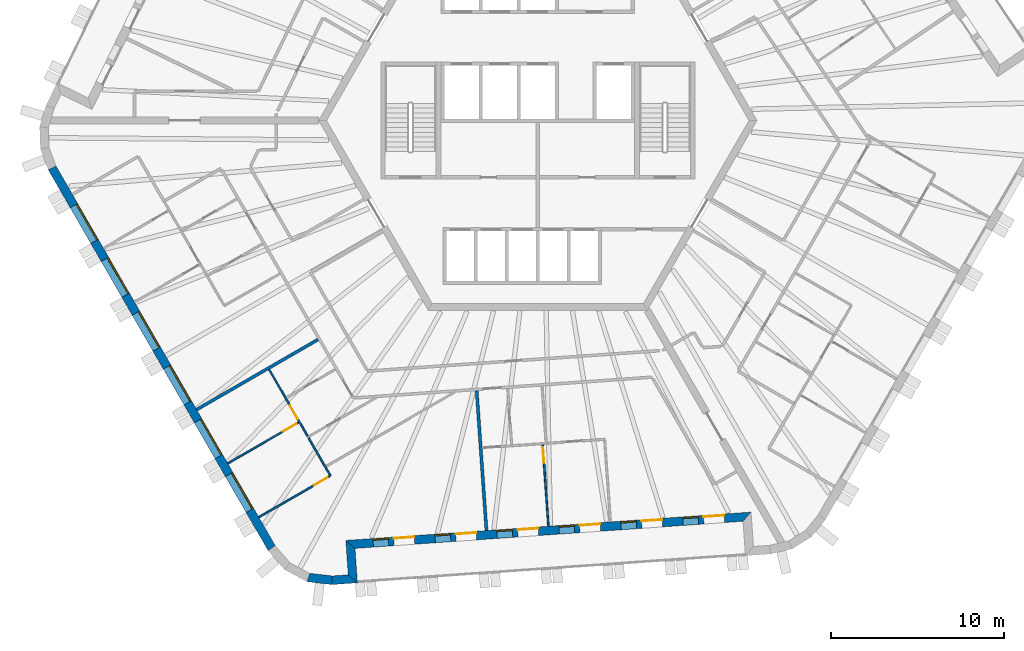
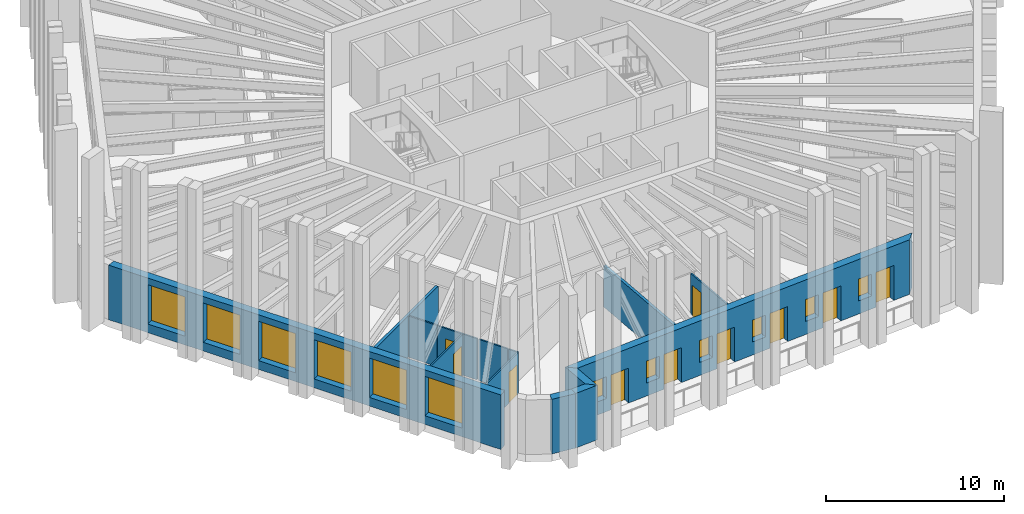
# One storey, part 3 of 13: 14 walls, 12 windows, 10 doors, 22 openings.
"""IFC4 building model written with IfcOpenShell, lengths in metres."""

from ifc_helpers import new_model, si_unit, direction, frame, frame_2d, origin, place, context, subcontext, project, spatial, polyline, rectangle, outline, extrude, material, layer, layer_set, type_object, element, fill, save


model = new_model("IFC4")

# Units and contexts
model_context = context("Model", 3, precision=1e-05, world=origin(), true_north=direction((0.0, 1.0)))
body_context = subcontext(model_context, "Body", "Model", "MODEL_VIEW")
ifc_project = project(units=[si_unit("LENGTHUNIT", "METRE"), si_unit("AREAUNIT", "SQUARE_METRE"), si_unit("VOLUMEUNIT", "CUBIC_METRE"), si_unit("PLANEANGLEUNIT", "RADIAN"), si_unit("MASSUNIT", "GRAM", prefix="KILO")], contexts=[model_context])

# Site, building, storey
site_placement = place(None, origin())
site = spatial("IfcSite", under=ifc_project, at=site_placement, CompositionType="ELEMENT")
building_placement = place(site_placement, origin())
building = spatial("IfcBuilding", under=site, at=building_placement, Name="Tarnside Tower", CompositionType="ELEMENT")
storey_placement = place(building_placement, frame((0.0, 0.0, 256.199951171875)))
storey = spatial("IfcBuildingStorey", under=building, at=storey_placement, Name="L61", CompositionType="ELEMENT", Elevation=256.199951171875)

# Walls
ifc_material_1 = material(Name="Gypsum board partition on steel studs", Category="steel")
ifc_layer_1 = layer(ifc_material_1, 0.10009765625)
ifc_layer_set_1 = layer_set([ifc_layer_1], Name="Bathroom wall 100")
wall_type_1 = type_object("IfcWallType", Name="Bathroom wall 100", PredefinedType="PARTITIONING", material=ifc_layer_set_1)
wall_1_placement = place(storey_placement, frame((-15.5693359375, -14.43310546875, 0.0), z_axis=(0.0, 0.0, 1.0), x_axis=(0.499960808225, -0.866048029984, 0.0)))
element("IfcWall", 1, at=wall_1_placement, inside=storey, type_object=wall_type_1, Name="Bathroom wall 20128", PredefinedType="PARTITIONING", context=body_context, shape_type="SweptSolid", body=[
    extrude(rectangle(XDim=1.862060546875, YDim=0.10009765625, at=frame_2d((0.93115234375, 0.0))), origin(), (0.0, 0.0, 1.0), 2.823486328125),
])
wall_2_placement = place(storey_placement, frame((-12.33935546875, -20.027587890625, 0.0), z_axis=(0.0, 0.0, 1.0), x_axis=(-0.500022797313, 0.86601224135, 0.0)))
element("IfcWall", 2, at=wall_2_placement, inside=storey, type_object=wall_type_1, Name="Bathroom wall 20130", PredefinedType="PARTITIONING", context=body_context, shape_type="SweptSolid", body=[
    extrude(rectangle(XDim=1.89990234375, YDim=0.10009765625, at=frame_2d((0.949951171875, 0.0))), origin(), (0.0, 0.0, 1.0), 2.823486328125),
])
ifc_layer_2 = layer(ifc_material_1, 0.179931640625)
ifc_layer_set_2 = layer_set([ifc_layer_2], Name="Demising wall 180 EI 60")
wall_type_2 = type_object("IfcWallType", Name="Demising wall 180 EI 60", PredefinedType="PARTITIONING", material=ifc_layer_set_2)
for number, where, z_axis, x_axis, name in (
    (3, (-19.771240234375, -16.755126953125, 0.0), (0.0, 0.0, 1.0), (0.866022959057, 0.500004234368, 0.0), "Demising wall 20111"),
    (4, (-2.97412109375, -23.765380859375, 0.0), (0.0, 0.0, 1.0), (-0.069771417753, 0.99756300516, 0.0), "Demising wall 20122"),
):
    element("IfcWall", number, at=place(storey_placement, frame(where, z_axis=z_axis, x_axis=x_axis)), inside=storey, type_object=wall_type_2, Name=name, PredefinedType="PARTITIONING", context=body_context, shape_type="SweptSolid", body=[
        extrude(rectangle(XDim=8.125, YDim=0.179931640625, at=frame_2d((4.0625, 0.0))), origin(), (0.0, 0.0, 1.0), 2.823486328125),
    ])
ifc_material_2 = material(Name="Dark zinc cladding")
ifc_layer_3 = layer(ifc_material_2, 0.10205078125)
ifc_material_3 = material(Name="Concrete C60/75 precast", Category="concrete")
ifc_layer_4 = layer(ifc_material_3, 0.298095703125)
ifc_material_4 = material(Name="Mineral wool insulation")
ifc_layer_5 = layer(ifc_material_4, 0.10009765625)
ifc_layer_set_3 = layer_set([ifc_layer_3, ifc_layer_4, ifc_layer_5], Name="Loggia wall 500 zinc faced")
wall_type_3 = type_object("IfcWallType", Name="Loggia wall 500 zinc faced", PredefinedType="SOLIDWALL", material=ifc_layer_set_3)
wall_3_placement = place(storey_placement, frame((-11.91748046875, -26.646240234375, 0.0), z_axis=(0.0, 0.0, 1.0), x_axis=(0.997562933087, 0.069772448216, 0.0)))
element("IfcWall", 5, at=wall_3_placement, inside=storey, type_object=wall_type_3, Name="Tube wall L61 F4 stub 16", PredefinedType="SOLIDWALL", context=body_context, shape_type="SweptSolid", body=[
    extrude(outline(polyline([(-0.0234375, -0.25), (1.4501953125, -0.25), (0.9501953125, 0.25), (0.0234375, 0.25), (-0.0234375, -0.25)])), origin(), (0.0, 0.0, 1.0), 3.75),
])
wall_4_placement = place(storey_placement, frame((-10.72021484375, -26.5625, 0.0), z_axis=(0.0, 0.0, 1.0), x_axis=(-0.069824268692, 0.99755930726, 0.0)))
element("IfcWall", 6, at=wall_4_placement, inside=storey, type_object=wall_type_3, Name="Tube wall L61 F4 return 17", PredefinedType="SOLIDWALL", context=body_context, shape_type="SweptSolid", body=[
    extrude(outline(polyline([(-0.25, -0.25), (1.75, -0.25), (2.25, 0.25), (0.25, 0.25), (-0.25, -0.25)])), origin(), (0.0, 0.0, 1.0), 3.75),
])

# Wall, openings, doors, windows
wall_5_placement = place(storey_placement, frame((-10.85986328125, -24.5673828125, 0.0), z_axis=(0.0, 0.0, 1.0), x_axis=(0.997564329317, 0.06975248292, 0.0)))
wall_5 = element("IfcWall", 7, at=wall_5_placement, inside=storey, type_object=wall_type_3, Name="Tube wall L61 F4 back 18", PredefinedType="SOLIDWALL", context=body_context, shape_type="SweptSolid", body=[
    extrude(outline(polyline([(0.25, -0.25), (22.794677734375, -0.25), (23.294677734375, 0.25), (-0.25, 0.25), (0.25, -0.25)])), origin(), (0.0, 0.0, 1.0), 3.75),
])
opening_1_placement = place(wall_5_placement, frame((1.322509765625, 0.0, 0.89990234375)))
opening_1 = element("IfcOpeningElement", 8, at=opening_1_placement, cuts=wall_5, Name="Opening WL500", PredefinedType="OPENING", context=body_context, shape_type="SweptSolid", body=[
    extrude(rectangle(XDim=0.89990234375, YDim=1.5, at=frame_2d((0.449951171875, 0.75))), frame((0.0, 0.260009765625, 0.0), z_axis=(0.0, -1.0, 0.0), x_axis=(1.0, 0.0, 0.0)), (0.0, 0.0, 1.0), 0.52001953125),
])
opening_2_placement = place(wall_5_placement, frame((2.5224609375, 0.0, 0.0)))
opening_2 = element("IfcOpeningElement", 9, at=opening_2_placement, cuts=wall_5, Name="Opening DB500", PredefinedType="OPENING", context=body_context, shape_type="SweptSolid", body=[
    extrude(rectangle(XDim=1.199951171875, YDim=2.39990234375, at=frame_2d((0.60009765625, 1.199951171875))), frame((0.0, 0.260009765625, 0.0), z_axis=(0.0, -1.0, 0.0), x_axis=(1.0, 0.0, 0.0)), (0.0, 0.0, 1.0), 0.52001953125),
])
opening_3_placement = place(wall_5_placement, frame((4.92236328125, 0.0, 0.89990234375)))
opening_3 = element("IfcOpeningElement", 10, at=opening_3_placement, cuts=wall_5, Name="Opening WL500", PredefinedType="OPENING", context=body_context, shape_type="SweptSolid", body=[
    extrude(rectangle(XDim=0.89990234375, YDim=1.5, at=frame_2d((0.449951171875, 0.75))), frame((0.0, 0.260009765625, 0.0), z_axis=(0.0, -1.0, 0.0), x_axis=(1.0, 0.0, 0.0)), (0.0, 0.0, 1.0), 0.52001953125),
])
opening_4_placement = place(wall_5_placement, frame((6.122314453125, 0.0, 0.0)))
opening_4 = element("IfcOpeningElement", 11, at=opening_4_placement, cuts=wall_5, Name="Opening DB500", PredefinedType="OPENING", context=body_context, shape_type="SweptSolid", body=[
    extrude(rectangle(XDim=1.199951171875, YDim=2.39990234375, at=frame_2d((0.60009765625, 1.199951171875))), frame((0.0, 0.260009765625, 0.0), z_axis=(0.0, -1.0, 0.0), x_axis=(1.0, 0.0, 0.0)), (0.0, 0.0, 1.0), 0.52001953125),
])
opening_5_placement = place(wall_5_placement, frame((8.5224609375, 0.0, 0.89990234375)))
opening_5 = element("IfcOpeningElement", 12, at=opening_5_placement, cuts=wall_5, Name="Opening WL500", PredefinedType="OPENING", context=body_context, shape_type="SweptSolid", body=[
    extrude(rectangle(XDim=0.89990234375, YDim=1.5, at=frame_2d((0.449951171875, 0.75))), frame((0.0, 0.260009765625, 0.0), z_axis=(0.0, -1.0, 0.0), x_axis=(1.0, 0.0, 0.0)), (0.0, 0.0, 1.0), 0.52001953125),
])
opening_6_placement = place(wall_5_placement, frame((9.722412109375, 0.0, 0.0)))
opening_6 = element("IfcOpeningElement", 13, at=opening_6_placement, cuts=wall_5, Name="Opening DB500", PredefinedType="OPENING", context=body_context, shape_type="SweptSolid", body=[
    extrude(rectangle(XDim=1.199951171875, YDim=2.39990234375, at=frame_2d((0.60009765625, 1.199951171875))), frame((0.0, 0.260009765625, 0.0), z_axis=(0.0, -1.0, 0.0), x_axis=(1.0, 0.0, 0.0)), (0.0, 0.0, 1.0), 0.52001953125),
])
opening_7_placement = place(wall_5_placement, frame((12.122314453125, 0.0, 0.89990234375)))
opening_7 = element("IfcOpeningElement", 14, at=opening_7_placement, cuts=wall_5, Name="Opening WL500", PredefinedType="OPENING", context=body_context, shape_type="SweptSolid", body=[
    extrude(rectangle(XDim=0.89990234375, YDim=1.5, at=frame_2d((0.449951171875, 0.75))), frame((0.0, 0.260009765625, 0.0), z_axis=(0.0, -1.0, 0.0), x_axis=(1.0, 0.0, 0.0)), (0.0, 0.0, 1.0), 0.52001953125),
])
opening_8_placement = place(wall_5_placement, frame((13.322509765625, 0.0, 0.0)))
opening_8 = element("IfcOpeningElement", 15, at=opening_8_placement, cuts=wall_5, Name="Opening DB500", PredefinedType="OPENING", context=body_context, shape_type="SweptSolid", body=[
    extrude(rectangle(XDim=1.199951171875, YDim=2.39990234375, at=frame_2d((0.60009765625, 1.199951171875))), frame((0.0, 0.260009765625, 0.0), z_axis=(0.0, -1.0, 0.0), x_axis=(1.0, 0.0, 0.0)), (0.0, 0.0, 1.0), 0.52001953125),
])
opening_9_placement = place(wall_5_placement, frame((15.722412109375, 0.0, 0.89990234375)))
opening_9 = element("IfcOpeningElement", 16, at=opening_9_placement, cuts=wall_5, Name="Opening WL500", PredefinedType="OPENING", context=body_context, shape_type="SweptSolid", body=[
    extrude(rectangle(XDim=0.89990234375, YDim=1.5, at=frame_2d((0.449951171875, 0.75))), frame((0.0, 0.260009765625, 0.0), z_axis=(0.0, -1.0, 0.0), x_axis=(1.0, 0.0, 0.0)), (0.0, 0.0, 1.0), 0.52001953125),
])
opening_10_placement = place(wall_5_placement, frame((16.92236328125, 0.0, 0.0)))
opening_10 = element("IfcOpeningElement", 17, at=opening_10_placement, cuts=wall_5, Name="Opening DB500", PredefinedType="OPENING", context=body_context, shape_type="SweptSolid", body=[
    extrude(rectangle(XDim=1.199951171875, YDim=2.39990234375, at=frame_2d((0.60009765625, 1.199951171875))), frame((0.0, 0.260009765625, 0.0), z_axis=(0.0, -1.0, 0.0), x_axis=(1.0, 0.0, 0.0)), (0.0, 0.0, 1.0), 0.52001953125),
])
opening_11_placement = place(wall_5_placement, frame((19.322509765625, 0.0, 0.89990234375)))
opening_11 = element("IfcOpeningElement", 18, at=opening_11_placement, cuts=wall_5, Name="Opening WL500", PredefinedType="OPENING", context=body_context, shape_type="SweptSolid", body=[
    extrude(rectangle(XDim=0.89990234375, YDim=1.5, at=frame_2d((0.449951171875, 0.75))), frame((0.0, 0.260009765625, 0.0), z_axis=(0.0, -1.0, 0.0), x_axis=(1.0, 0.0, 0.0)), (0.0, 0.0, 1.0), 0.52001953125),
])
opening_12_placement = place(wall_5_placement, frame((20.5224609375, 0.0, 0.0)))
opening_12 = element("IfcOpeningElement", 19, at=opening_12_placement, cuts=wall_5, Name="Opening DB500", PredefinedType="OPENING", context=body_context, shape_type="SweptSolid", body=[
    extrude(rectangle(XDim=1.199951171875, YDim=2.39990234375, at=frame_2d((0.60009765625, 1.199951171875))), frame((0.0, 0.260009765625, 0.0), z_axis=(0.0, -1.0, 0.0), x_axis=(1.0, 0.0, 0.0)), (0.0, 0.0, 1.0), 0.52001953125),
])
ifc_material_5 = material(Name="Aluminium-framed double glazing", Category="aluminium")
door_type_1 = type_object("IfcDoorType", Name="Balcony sliding door 1200 x 2400 in 500 wall", OperationType="SLIDING_TO_LEFT", PredefinedType="DOOR", material=ifc_material_5)
door_1_placement = place(opening_2_placement, frame((0.0, 0.1748046875, 0.0)))
door_1 = element("IfcDoor", 20, at=door_1_placement, inside=storey, type_object=door_type_1, Name="E.BD.L61.F4.00", OperationType="SLIDING_TO_LEFT", OverallHeight=2.39990234375, OverallWidth=1.199951171875, PredefinedType="DOOR", context=body_context, shape_type="SweptSolid", body=[
    extrude(rectangle(XDim=1.199951171875, YDim=2.39990234375, at=frame_2d((0.60009765625, 1.199951171875))), frame((0.0, 0.02490234375, 0.0), z_axis=(0.0, -1.0, 0.0), x_axis=(1.0, 0.0, 0.0)), (0.0, 0.0, 1.0), 0.050048828125),
])
fill(opening_2, door_1)
door_2_placement = place(opening_4_placement, frame((0.0, 0.1748046875, 0.0)))
door_2 = element("IfcDoor", 21, at=door_2_placement, inside=storey, type_object=door_type_1, Name="E.BD.L61.F4.01", OperationType="SLIDING_TO_LEFT", OverallHeight=2.39990234375, OverallWidth=1.199951171875, PredefinedType="DOOR", context=body_context, shape_type="SweptSolid", body=[
    extrude(rectangle(XDim=1.199951171875, YDim=2.39990234375, at=frame_2d((0.60009765625, 1.199951171875))), frame((0.0, 0.02490234375, 0.0), z_axis=(0.0, -1.0, 0.0), x_axis=(1.0, 0.0, 0.0)), (0.0, 0.0, 1.0), 0.050048828125),
])
fill(opening_4, door_2)
door_3_placement = place(opening_6_placement, frame((0.0, 0.1748046875, 0.0)))
door_3 = element("IfcDoor", 22, at=door_3_placement, inside=storey, type_object=door_type_1, Name="E.BD.L61.F4.02", OperationType="SLIDING_TO_LEFT", OverallHeight=2.39990234375, OverallWidth=1.199951171875, PredefinedType="DOOR", context=body_context, shape_type="SweptSolid", body=[
    extrude(rectangle(XDim=1.199951171875, YDim=2.39990234375, at=frame_2d((0.60009765625, 1.199951171875))), frame((0.0, 0.02490234375, 0.0), z_axis=(0.0, -1.0, 0.0), x_axis=(1.0, 0.0, 0.0)), (0.0, 0.0, 1.0), 0.050048828125),
])
fill(opening_6, door_3)
door_4_placement = place(opening_8_placement, frame((0.0, 0.1748046875, 0.0)))
door_4 = element("IfcDoor", 23, at=door_4_placement, inside=storey, type_object=door_type_1, Name="E.BD.L61.F4.03", OperationType="SLIDING_TO_LEFT", OverallHeight=2.39990234375, OverallWidth=1.199951171875, PredefinedType="DOOR", context=body_context, shape_type="SweptSolid", body=[
    extrude(rectangle(XDim=1.199951171875, YDim=2.39990234375, at=frame_2d((0.60009765625, 1.199951171875))), frame((0.0, 0.02490234375, 0.0), z_axis=(0.0, -1.0, 0.0), x_axis=(1.0, 0.0, 0.0)), (0.0, 0.0, 1.0), 0.050048828125),
])
fill(opening_8, door_4)
door_5_placement = place(opening_10_placement, frame((0.0, 0.1748046875, 0.0)))
door_5 = element("IfcDoor", 24, at=door_5_placement, inside=storey, type_object=door_type_1, Name="E.BD.L61.F4.04", OperationType="SLIDING_TO_LEFT", OverallHeight=2.39990234375, OverallWidth=1.199951171875, PredefinedType="DOOR", context=body_context, shape_type="SweptSolid", body=[
    extrude(rectangle(XDim=1.199951171875, YDim=2.39990234375, at=frame_2d((0.60009765625, 1.199951171875))), frame((0.0, 0.02490234375, 0.0), z_axis=(0.0, -1.0, 0.0), x_axis=(1.0, 0.0, 0.0)), (0.0, 0.0, 1.0), 0.050048828125),
])
fill(opening_10, door_5)
door_6_placement = place(opening_12_placement, frame((0.0, 0.1748046875, 0.0)))
door_6 = element("IfcDoor", 25, at=door_6_placement, inside=storey, type_object=door_type_1, Name="E.BD.L61.F4.05", OperationType="SLIDING_TO_LEFT", OverallHeight=2.39990234375, OverallWidth=1.199951171875, PredefinedType="DOOR", context=body_context, shape_type="SweptSolid", body=[
    extrude(rectangle(XDim=1.199951171875, YDim=2.39990234375, at=frame_2d((0.60009765625, 1.199951171875))), frame((0.0, 0.02490234375, 0.0), z_axis=(0.0, -1.0, 0.0), x_axis=(1.0, 0.0, 0.0)), (0.0, 0.0, 1.0), 0.050048828125),
])
fill(opening_12, door_6)
window_type_1 = type_object("IfcWindowType", Name="Loggia window 900 x 1500 in 500 wall", PartitioningType="SINGLE_PANEL", PredefinedType="WINDOW", material=ifc_material_5)
window_1_placement = place(opening_1_placement, frame((0.0, 0.179931640625, 0.0)))
window_1 = element("IfcWindow", 26, at=window_1_placement, inside=storey, type_object=window_type_1, Name="E.LW.L61.F4.00", OverallHeight=1.5, OverallWidth=0.89990234375, PartitioningType="SINGLE_PANEL", PredefinedType="WINDOW", context=body_context, shape_type="SweptSolid", body=[
    extrude(rectangle(XDim=0.89990234375, YDim=1.5, at=frame_2d((0.449951171875, 0.75))), frame((0.0, 0.030029296875, 0.0), z_axis=(0.0, -1.0, 0.0), x_axis=(1.0, 0.0, 0.0)), (0.0, 0.0, 1.0), 0.06005859375),
])
fill(opening_1, window_1)
window_2_placement = place(opening_3_placement, frame((0.0, 0.179931640625, 0.0)))
window_2 = element("IfcWindow", 27, at=window_2_placement, inside=storey, type_object=window_type_1, Name="E.LW.L61.F4.01", OverallHeight=1.5, OverallWidth=0.89990234375, PartitioningType="SINGLE_PANEL", PredefinedType="WINDOW", context=body_context, shape_type="SweptSolid", body=[
    extrude(rectangle(XDim=0.89990234375, YDim=1.5, at=frame_2d((0.449951171875, 0.75))), frame((0.0, 0.030029296875, 0.0), z_axis=(0.0, -1.0, 0.0), x_axis=(1.0, 0.0, 0.0)), (0.0, 0.0, 1.0), 0.06005859375),
])
fill(opening_3, window_2)
window_3_placement = place(opening_5_placement, frame((0.0, 0.179931640625, 0.0)))
window_3 = element("IfcWindow", 28, at=window_3_placement, inside=storey, type_object=window_type_1, Name="E.LW.L61.F4.02", OverallHeight=1.5, OverallWidth=0.89990234375, PartitioningType="SINGLE_PANEL", PredefinedType="WINDOW", context=body_context, shape_type="SweptSolid", body=[
    extrude(rectangle(XDim=0.89990234375, YDim=1.5, at=frame_2d((0.449951171875, 0.75))), frame((0.0, 0.030029296875, 0.0), z_axis=(0.0, -1.0, 0.0), x_axis=(1.0, 0.0, 0.0)), (0.0, 0.0, 1.0), 0.06005859375),
])
fill(opening_5, window_3)
window_4_placement = place(opening_7_placement, frame((0.0, 0.179931640625, 0.0)))
window_4 = element("IfcWindow", 29, at=window_4_placement, inside=storey, type_object=window_type_1, Name="E.LW.L61.F4.03", OverallHeight=1.5, OverallWidth=0.89990234375, PartitioningType="SINGLE_PANEL", PredefinedType="WINDOW", context=body_context, shape_type="SweptSolid", body=[
    extrude(rectangle(XDim=0.89990234375, YDim=1.5, at=frame_2d((0.449951171875, 0.75))), frame((0.0, 0.030029296875, 0.0), z_axis=(0.0, -1.0, 0.0), x_axis=(1.0, 0.0, 0.0)), (0.0, 0.0, 1.0), 0.06005859375),
])
fill(opening_7, window_4)
window_5_placement = place(opening_9_placement, frame((0.0, 0.179931640625, 0.0)))
window_5 = element("IfcWindow", 30, at=window_5_placement, inside=storey, type_object=window_type_1, Name="E.LW.L61.F4.04", OverallHeight=1.5, OverallWidth=0.89990234375, PartitioningType="SINGLE_PANEL", PredefinedType="WINDOW", context=body_context, shape_type="SweptSolid", body=[
    extrude(rectangle(XDim=0.89990234375, YDim=1.5, at=frame_2d((0.449951171875, 0.75))), frame((0.0, 0.030029296875, 0.0), z_axis=(0.0, -1.0, 0.0), x_axis=(1.0, 0.0, 0.0)), (0.0, 0.0, 1.0), 0.06005859375),
])
fill(opening_9, window_5)
window_6_placement = place(opening_11_placement, frame((0.0, 0.179931640625, 0.0)))
window_6 = element("IfcWindow", 31, at=window_6_placement, inside=storey, type_object=window_type_1, Name="E.LW.L61.F4.05", OverallHeight=1.5, OverallWidth=0.89990234375, PartitioningType="SINGLE_PANEL", PredefinedType="WINDOW", context=body_context, shape_type="SweptSolid", body=[
    extrude(rectangle(XDim=0.89990234375, YDim=1.5, at=frame_2d((0.449951171875, 0.75))), frame((0.0, 0.030029296875, 0.0), z_axis=(0.0, -1.0, 0.0), x_axis=(1.0, 0.0, 0.0)), (0.0, 0.0, 1.0), 0.06005859375),
])
fill(opening_11, window_6)

# Wall
ifc_layer_6 = layer(ifc_material_1, 0.10009765625)
ifc_layer_set_4 = layer_set([ifc_layer_6], Name="Partition 100")
wall_type_4 = type_object("IfcWallType", Name="Partition 100", PredefinedType="PARTITIONING", material=ifc_layer_set_4)
wall_6_placement = place(storey_placement, frame((-12.3154296875, -20.0693359375, 0.0), z_axis=(0.0, 0.0, 1.0), x_axis=(0.500108649621, -0.865962665808, 0.0)))
element("IfcWall", 32, at=wall_6_placement, inside=storey, type_object=wall_type_4, Name="Partition wall 20119", PredefinedType="PARTITIONING", context=body_context, shape_type="SweptSolid", body=[
    extrude(rectangle(XDim=0.601806640625, YDim=0.10009765625, at=frame_2d((0.30078125, 0.0))), origin(), (0.0, 0.0, 1.0), 2.823486328125),
])

# Wall, opening, door
wall_7_placement = place(storey_placement, frame((-12.0576171875, -20.615478515625, 0.0), z_axis=(0.0, 0.0, 1.0), x_axis=(-0.866020389056, -0.500008685663, 0.0)))
wall_7 = element("IfcWall", 33, at=wall_7_placement, inside=storey, type_object=wall_type_4, Name="Partition wall 20120", PredefinedType="PARTITIONING", context=body_context, shape_type="SweptSolid", body=[
    extrude(rectangle(XDim=4.75, YDim=0.10009765625, at=frame_2d((2.375, 0.0))), origin(), (0.0, 0.0, 1.0), 2.823486328125),
])
opening_13_placement = place(wall_7_placement, frame((0.14990234375, 0.0, 0.0)))
opening_13 = element("IfcOpeningElement", 34, at=opening_13_placement, cuts=wall_7, Name="Opening D-I1", PredefinedType="OPENING", context=body_context, shape_type="SweptSolid", body=[
    extrude(rectangle(XDim=0.89990234375, YDim=2.10009765625, at=frame_2d((0.449951171875, 1.050048828125))), frame((0.0, 0.06005859375, 0.0), z_axis=(0.0, -1.0, 0.0), x_axis=(1.0, 0.0, 0.0)), (0.0, 0.0, 1.0), 0.1201171875),
])
ifc_material_6 = material(Name="Timber door leaf", Category="wood")
door_type_2 = type_object("IfcDoorType", Name="Internal door 900", OperationType="NOTDEFINED", PredefinedType="DOOR", material=ifc_material_6)
door_7_placement = place(opening_13_placement, origin())
door_7 = element("IfcDoor", 35, at=door_7_placement, inside=storey, type_object=door_type_2, Name="Internal door 20040", OperationType="SINGLE_SWING_RIGHT", OverallHeight=2.10009765625, OverallWidth=0.89990234375, PredefinedType="DOOR", context=body_context, shape_type="SweptSolid", body=[
    extrude(rectangle(XDim=0.89990234375, YDim=2.10009765625, at=frame_2d((0.449951171875, 1.050048828125))), frame((0.0, 0.02490234375, 0.0), z_axis=(0.0, -1.0, 0.0), x_axis=(1.0, 0.0, 0.0)), (0.0, 0.0, 1.0), 0.050048828125),
])
fill(opening_13, door_7)

wall_8_placement = place(storey_placement, frame((-14.615234375, -16.08544921875, 0.0), z_axis=(0.0, 0.0, 1.0), x_axis=(0.499943114462, -0.866058244174, 0.0)))
wall_8 = element("IfcWall", 36, at=wall_8_placement, inside=storey, type_object=wall_type_4, Name="Partition wall 20125", PredefinedType="PARTITIONING", context=body_context, shape_type="SweptSolid", body=[
    extrude(rectangle(XDim=2.553955078125, YDim=0.10009765625, at=frame_2d((1.27685546875, 0.0))), origin(), (0.0, 0.0, 1.0), 2.823486328125),
])
opening_14_placement = place(wall_8_placement, frame((0.501953125, 0.0, 0.0)))
opening_14 = element("IfcOpeningElement", 37, at=opening_14_placement, cuts=wall_8, Name="Opening D-I1", PredefinedType="OPENING", context=body_context, shape_type="SweptSolid", body=[
    extrude(rectangle(XDim=0.89990234375, YDim=2.10009765625, at=frame_2d((0.449951171875, 1.050048828125))), frame((0.0, 0.06005859375, 0.0), z_axis=(0.0, -1.0, 0.0), x_axis=(1.0, 0.0, 0.0)), (0.0, 0.0, 1.0), 0.1201171875),
])
door_8_placement = place(opening_14_placement, origin())
door_8 = element("IfcDoor", 38, at=door_8_placement, inside=storey, type_object=door_type_2, Name="Internal door 20035", OperationType="SINGLE_SWING_LEFT", OverallHeight=2.10009765625, OverallWidth=0.89990234375, PredefinedType="DOOR", context=body_context, shape_type="SweptSolid", body=[
    extrude(rectangle(XDim=0.89990234375, YDim=2.10009765625, at=frame_2d((0.449951171875, 1.050048828125))), frame((0.0, 0.02490234375, 0.0), z_axis=(0.0, -1.0, 0.0), x_axis=(1.0, 0.0, 0.0)), (0.0, 0.0, 1.0), 0.050048828125),
])
fill(opening_14, door_8)

wall_9_placement = place(storey_placement, frame((-17.97119140625, -19.872802734375, 0.0), z_axis=(0.0, 0.0, 1.0), x_axis=(0.866020389056, 0.500008685663, 0.0)))
wall_9 = element("IfcWall", 39, at=wall_9_placement, inside=storey, type_object=wall_type_4, Name="Partition wall 20129", PredefinedType="PARTITIONING", context=body_context, shape_type="SweptSolid", body=[
    extrude(rectangle(XDim=4.75, YDim=0.10009765625, at=frame_2d((2.375, 0.0))), origin(), (0.0, 0.0, 1.0), 2.823486328125),
])
opening_15_placement = place(wall_9_placement, frame((3.699951171875, 0.0, 0.0)))
opening_15 = element("IfcOpeningElement", 40, at=opening_15_placement, cuts=wall_9, Name="Opening D-I1", PredefinedType="OPENING", context=body_context, shape_type="SweptSolid", body=[
    extrude(rectangle(XDim=0.89990234375, YDim=2.10009765625, at=frame_2d((0.449951171875, 1.050048828125))), frame((0.0, 0.06005859375, 0.0), z_axis=(0.0, -1.0, 0.0), x_axis=(1.0, 0.0, 0.0)), (0.0, 0.0, 1.0), 0.1201171875),
])
door_9_placement = place(opening_15_placement, origin())
door_9 = element("IfcDoor", 41, at=door_9_placement, inside=storey, type_object=door_type_2, Name="Internal door 20038", OperationType="SINGLE_SWING_RIGHT", OverallHeight=2.10009765625, OverallWidth=0.89990234375, PredefinedType="DOOR", context=body_context, shape_type="SweptSolid", body=[
    extrude(rectangle(XDim=0.89990234375, YDim=2.10009765625, at=frame_2d((0.449951171875, 1.050048828125))), frame((0.0, 0.02490234375, 0.0), z_axis=(0.0, -1.0, 0.0), x_axis=(1.0, 0.0, 0.0)), (0.0, 0.0, 1.0), 0.050048828125),
])
fill(opening_15, door_9)

wall_10_placement = place(storey_placement, frame((0.616943359375, -23.51416015625, 0.0), z_axis=(0.0, 0.0, 1.0), x_axis=(-0.069749334994, 0.997564549424, 0.0)))
wall_10 = element("IfcWall", 42, at=wall_10_placement, inside=storey, type_object=wall_type_4, Name="Partition wall 20138", PredefinedType="PARTITIONING", context=body_context, shape_type="SweptSolid", body=[
    extrude(rectangle(XDim=4.749755859375, YDim=0.10009765625, at=frame_2d((2.375, 0.0))), origin(), (0.0, 0.0, 1.0), 2.823486328125),
])
opening_16_placement = place(wall_10_placement, frame((3.699951171875, 0.0, 0.0)))
opening_16 = element("IfcOpeningElement", 43, at=opening_16_placement, cuts=wall_10, Name="Opening D-I1", PredefinedType="OPENING", context=body_context, shape_type="SweptSolid", body=[
    extrude(rectangle(XDim=0.89990234375, YDim=2.10009765625, at=frame_2d((0.449951171875, 1.050048828125))), frame((0.0, 0.06005859375, 0.0), z_axis=(0.0, -1.0, 0.0), x_axis=(1.0, 0.0, 0.0)), (0.0, 0.0, 1.0), 0.1201171875),
])
door_10_placement = place(opening_16_placement, origin())
door_10 = element("IfcDoor", 44, at=door_10_placement, inside=storey, type_object=door_type_2, Name="Internal door 20048", OperationType="SINGLE_SWING_RIGHT", OverallHeight=2.10009765625, OverallWidth=0.89990234375, PredefinedType="DOOR", context=body_context, shape_type="SweptSolid", body=[
    extrude(rectangle(XDim=0.89990234375, YDim=2.10009765625, at=frame_2d((0.449951171875, 1.050048828125))), frame((0.0, 0.02490234375, 0.0), z_axis=(0.0, -1.0, 0.0), x_axis=(1.0, 0.0, 0.0)), (0.0, 0.0, 1.0), 0.050048828125),
])
fill(opening_16, door_10)

# Wall, openings, windows
ifc_material_7 = material(Name="Facing brick", Category="masonry")
ifc_layer_7 = layer(ifc_material_7, 0.10205078125)
ifc_layer_8 = layer(ifc_material_3, 0.298095703125)
ifc_layer_9 = layer(ifc_material_4, 0.10009765625)
ifc_layer_set_5 = layer_set([ifc_layer_7, ifc_layer_8, ifc_layer_9], Name="Tube wall 500 brick faced")
wall_type_5 = type_object("IfcWallType", Name="Tube wall 500 brick faced", PredefinedType="SOLIDWALL", material=ifc_layer_set_5)
wall_11_placement = place(storey_placement, frame((-28.14892578125, -2.74462890625, 0.0), z_axis=(0.0, 0.0, 1.0), x_axis=(0.500003737743, -0.866023245787, 0.0)))
wall_11 = element("IfcWall", 45, at=wall_11_placement, inside=storey, type_object=wall_type_5, Name="Tube wall L61 F3 flush 12", PredefinedType="SOLIDWALL", context=body_context, shape_type="SweptSolid", body=[
    extrude(outline(polyline([(-0.0205078125, -0.25), (25.468017578125, -0.25), (25.421142578125, 0.25), (0.0205078125, 0.25), (-0.0205078125, -0.25)])), origin(), (0.0, 0.0, 1.0), 3.75),
])
opening_17_placement = place(wall_11_placement, frame((2.5224609375, 0.0, 0.60009765625)))
opening_17 = element("IfcOpeningElement", 46, at=opening_17_placement, cuts=wall_11, Name="Opening WR", PredefinedType="OPENING", context=body_context, shape_type="SweptSolid", body=[
    extrude(rectangle(XDim=2.39990234375, YDim=2.699951171875, at=frame_2d((1.199951171875, 1.35009765625))), frame((0.0, 0.260009765625, 0.0), z_axis=(0.0, -1.0, 0.0), x_axis=(1.0, 0.0, 0.0)), (0.0, 0.0, 1.0), 0.52001953125),
])
opening_18_placement = place(wall_11_placement, frame((6.122314453125, 0.0, 0.60009765625)))
opening_18 = element("IfcOpeningElement", 47, at=opening_18_placement, cuts=wall_11, Name="Opening WR", PredefinedType="OPENING", context=body_context, shape_type="SweptSolid", body=[
    extrude(rectangle(XDim=2.39990234375, YDim=2.699951171875, at=frame_2d((1.199951171875, 1.35009765625))), frame((0.0, 0.260009765625, 0.0), z_axis=(0.0, -1.0, 0.0), x_axis=(1.0, 0.0, 0.0)), (0.0, 0.0, 1.0), 0.52001953125),
])
opening_19_placement = place(wall_11_placement, frame((9.722412109375, 0.0, 0.60009765625)))
opening_19 = element("IfcOpeningElement", 48, at=opening_19_placement, cuts=wall_11, Name="Opening WR", PredefinedType="OPENING", context=body_context, shape_type="SweptSolid", body=[
    extrude(rectangle(XDim=2.39990234375, YDim=2.699951171875, at=frame_2d((1.199951171875, 1.35009765625))), frame((0.0, 0.260009765625, 0.0), z_axis=(0.0, -1.0, 0.0), x_axis=(1.0, 0.0, 0.0)), (0.0, 0.0, 1.0), 0.52001953125),
])
opening_20_placement = place(wall_11_placement, frame((13.322509765625, 0.0, 0.60009765625)))
opening_20 = element("IfcOpeningElement", 49, at=opening_20_placement, cuts=wall_11, Name="Opening WR", PredefinedType="OPENING", context=body_context, shape_type="SweptSolid", body=[
    extrude(rectangle(XDim=2.39990234375, YDim=2.699951171875, at=frame_2d((1.199951171875, 1.35009765625))), frame((0.0, 0.260009765625, 0.0), z_axis=(0.0, -1.0, 0.0), x_axis=(1.0, 0.0, 0.0)), (0.0, 0.0, 1.0), 0.52001953125),
])
opening_21_placement = place(wall_11_placement, frame((16.92236328125, 0.0, 0.60009765625)))
opening_21 = element("IfcOpeningElement", 50, at=opening_21_placement, cuts=wall_11, Name="Opening WR", PredefinedType="OPENING", context=body_context, shape_type="SweptSolid", body=[
    extrude(rectangle(XDim=2.39990234375, YDim=2.699951171875, at=frame_2d((1.199951171875, 1.35009765625))), frame((0.0, 0.260009765625, 0.0), z_axis=(0.0, -1.0, 0.0), x_axis=(1.0, 0.0, 0.0)), (0.0, 0.0, 1.0), 0.52001953125),
])
opening_22_placement = place(wall_11_placement, frame((20.5224609375, 0.0, 0.60009765625)))
opening_22 = element("IfcOpeningElement", 51, at=opening_22_placement, cuts=wall_11, Name="Opening WR", PredefinedType="OPENING", context=body_context, shape_type="SweptSolid", body=[
    extrude(rectangle(XDim=2.39990234375, YDim=2.699951171875, at=frame_2d((1.199951171875, 1.35009765625))), frame((0.0, 0.260009765625, 0.0), z_axis=(0.0, -1.0, 0.0), x_axis=(1.0, 0.0, 0.0)), (0.0, 0.0, 1.0), 0.52001953125),
])
window_type_2 = type_object("IfcWindowType", Name="Residence window 2400 x 2700", PartitioningType="DOUBLE_PANEL_VERTICAL", PredefinedType="WINDOW", material=ifc_material_5)
window_7_placement = place(opening_17_placement, frame((0.0, 0.179931640625, 0.0)))
window_7 = element("IfcWindow", 52, at=window_7_placement, inside=storey, type_object=window_type_2, Name="E.WN.L61.F3.00", OverallHeight=2.699951171875, OverallWidth=2.39990234375, PartitioningType="DOUBLE_PANEL_VERTICAL", PredefinedType="WINDOW", context=body_context, shape_type="SweptSolid", body=[
    extrude(rectangle(XDim=2.39990234375, YDim=2.699951171875, at=frame_2d((1.199951171875, 1.35009765625))), frame((0.0, 0.030029296875, 0.0), z_axis=(0.0, -1.0, 0.0), x_axis=(1.0, 0.0, 0.0)), (0.0, 0.0, 1.0), 0.06005859375),
])
fill(opening_17, window_7)
window_8_placement = place(opening_18_placement, frame((0.0, 0.179931640625, 0.0)))
window_8 = element("IfcWindow", 53, at=window_8_placement, inside=storey, type_object=window_type_2, Name="E.WN.L61.F3.01", OverallHeight=2.699951171875, OverallWidth=2.39990234375, PartitioningType="DOUBLE_PANEL_VERTICAL", PredefinedType="WINDOW", context=body_context, shape_type="SweptSolid", body=[
    extrude(rectangle(XDim=2.39990234375, YDim=2.699951171875, at=frame_2d((1.199951171875, 1.35009765625))), frame((0.0, 0.030029296875, 0.0), z_axis=(0.0, -1.0, 0.0), x_axis=(1.0, 0.0, 0.0)), (0.0, 0.0, 1.0), 0.06005859375),
])
fill(opening_18, window_8)
window_9_placement = place(opening_19_placement, frame((0.0, 0.179931640625, 0.0)))
window_9 = element("IfcWindow", 54, at=window_9_placement, inside=storey, type_object=window_type_2, Name="E.WN.L61.F3.02", OverallHeight=2.699951171875, OverallWidth=2.39990234375, PartitioningType="DOUBLE_PANEL_VERTICAL", PredefinedType="WINDOW", context=body_context, shape_type="SweptSolid", body=[
    extrude(rectangle(XDim=2.39990234375, YDim=2.699951171875, at=frame_2d((1.199951171875, 1.35009765625))), frame((0.0, 0.030029296875, 0.0), z_axis=(0.0, -1.0, 0.0), x_axis=(1.0, 0.0, 0.0)), (0.0, 0.0, 1.0), 0.06005859375),
])
fill(opening_19, window_9)
window_10_placement = place(opening_20_placement, frame((0.0, 0.179931640625, 0.0)))
window_10 = element("IfcWindow", 55, at=window_10_placement, inside=storey, type_object=window_type_2, Name="E.WN.L61.F3.03", OverallHeight=2.699951171875, OverallWidth=2.39990234375, PartitioningType="DOUBLE_PANEL_VERTICAL", PredefinedType="WINDOW", context=body_context, shape_type="SweptSolid", body=[
    extrude(rectangle(XDim=2.39990234375, YDim=2.699951171875, at=frame_2d((1.199951171875, 1.35009765625))), frame((0.0, 0.030029296875, 0.0), z_axis=(0.0, -1.0, 0.0), x_axis=(1.0, 0.0, 0.0)), (0.0, 0.0, 1.0), 0.06005859375),
])
fill(opening_20, window_10)
window_11_placement = place(opening_21_placement, frame((0.0, 0.179931640625, 0.0)))
window_11 = element("IfcWindow", 56, at=window_11_placement, inside=storey, type_object=window_type_2, Name="E.WN.L61.F3.04", OverallHeight=2.699951171875, OverallWidth=2.39990234375, PartitioningType="DOUBLE_PANEL_VERTICAL", PredefinedType="WINDOW", context=body_context, shape_type="SweptSolid", body=[
    extrude(rectangle(XDim=2.39990234375, YDim=2.699951171875, at=frame_2d((1.199951171875, 1.35009765625))), frame((0.0, 0.030029296875, 0.0), z_axis=(0.0, -1.0, 0.0), x_axis=(1.0, 0.0, 0.0)), (0.0, 0.0, 1.0), 0.06005859375),
])
fill(opening_21, window_11)
window_12_placement = place(opening_22_placement, frame((0.0, 0.179931640625, 0.0)))
window_12 = element("IfcWindow", 57, at=window_12_placement, inside=storey, type_object=window_type_2, Name="E.WN.L61.F3.05", OverallHeight=2.699951171875, OverallWidth=2.39990234375, PartitioningType="DOUBLE_PANEL_VERTICAL", PredefinedType="WINDOW", context=body_context, shape_type="SweptSolid", body=[
    extrude(rectangle(XDim=2.39990234375, YDim=2.699951171875, at=frame_2d((1.199951171875, 1.35009765625))), frame((0.0, 0.030029296875, 0.0), z_axis=(0.0, -1.0, 0.0), x_axis=(1.0, 0.0, 0.0)), (0.0, 0.0, 1.0), 0.06005859375),
])
fill(opening_22, window_12)

# Wall
wall_12_placement = place(storey_placement, frame((-13.296142578125, -26.485107421875, 0.0), z_axis=(0.0, 0.0, 1.0), x_axis=(0.993239161627, -0.116086036245, 0.0)))
element("IfcWall", 58, at=wall_12_placement, inside=storey, type_object=wall_type_5, Name="Tube wall L61 F3 chord 15", PredefinedType="SOLIDWALL", context=body_context, shape_type="SweptSolid", body=[
    extrude(outline(polyline([(-0.047119140625, -0.25), (1.411376953125, -0.25), (1.364501953125, 0.25), (0.047119140625, 0.25), (-0.047119140625, -0.25)])), origin(), (0.0, 0.0, 1.0), 3.75),
])

save(model, "model.ifc")
